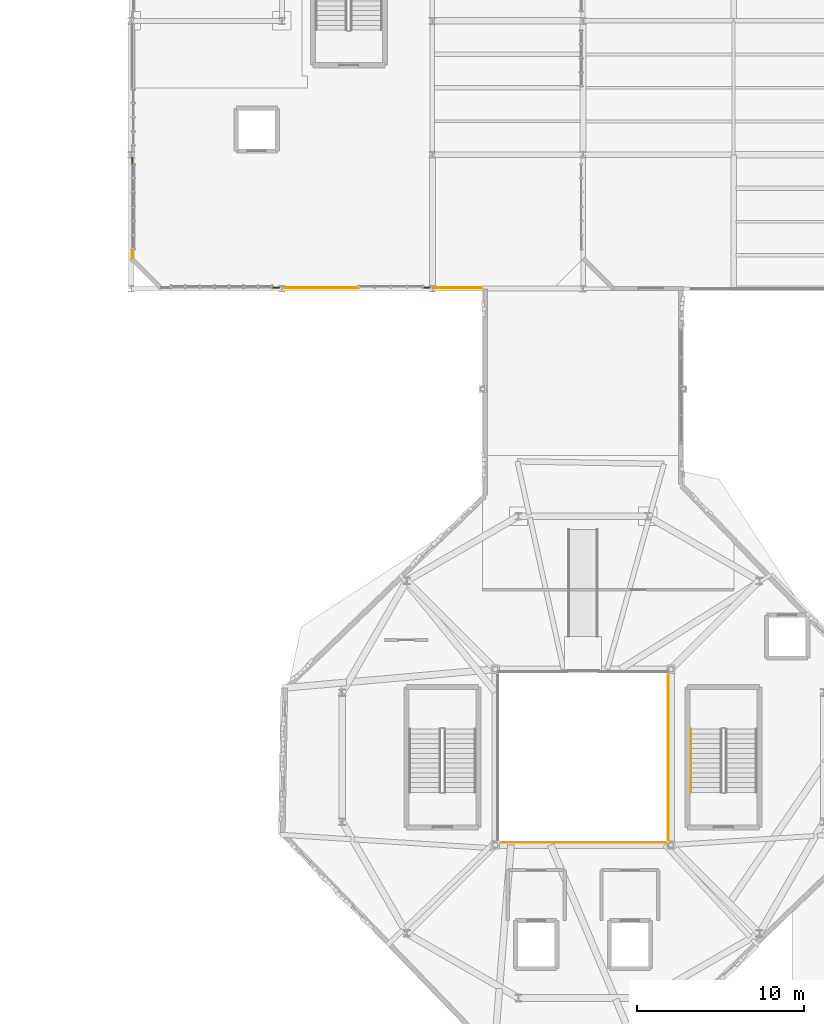
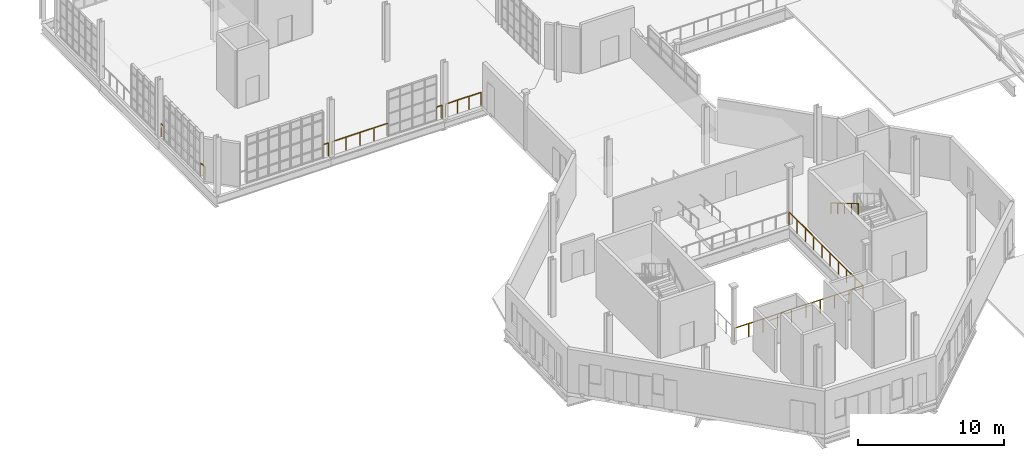
# One storey, part 81 of 85: 9 railings.
"""IFC4 building model written with IfcOpenShell, lengths in metres."""

from ifc_helpers import new_model, si_unit, direction, frame, origin, origin_2d, place, context, subcontext, project, spatial, circle, extrude, material, type_object, element, save


model = new_model("IFC4")

# Units and contexts
model_context = context("Model", 3, precision=1e-05, world=origin(), true_north=direction((0.0, 1.0)))
body_context = subcontext(model_context, "Body", "Model", "MODEL_VIEW")
ifc_project = project(units=[si_unit("LENGTHUNIT", "METRE"), si_unit("AREAUNIT", "SQUARE_METRE"), si_unit("VOLUMEUNIT", "CUBIC_METRE"), si_unit("PLANEANGLEUNIT", "RADIAN"), si_unit("MASSUNIT", "GRAM", prefix="KILO"), si_unit("THERMODYNAMICTEMPERATUREUNIT", "KELVIN"), si_unit("POWERUNIT", "WATT")], contexts=[model_context])

# Site, building, storey
site_placement = place(None, origin())
site = spatial("IfcSite", under=ifc_project, at=site_placement, CompositionType="ELEMENT")
building_placement = place(site_placement, origin())
building = spatial("IfcBuilding", under=site, at=building_placement, Name="Zelmaris Science Centre", CompositionType="ELEMENT")
storey_placement = place(building_placement, frame((0.0, 0.0, 20.39990234375)))
storey = spatial("IfcBuildingStorey", under=building, at=storey_placement, Name="L04", CompositionType="ELEMENT", Elevation=20.39990234375)

# Railings
ifc_material = material(Name="Architectural bronze alloy C28000")
railing_type_1 = type_object("IfcRailingType", Name="Balustrade GD-01 H1120", PredefinedType="BALUSTRADE", material=ifc_material)
railing_1_placement = place(storey_placement, frame((75.89990234375, 30.89990234375, 0.0)))
element("IfcRailing", 1, at=railing_1_placement, inside=storey, type_object=railing_type_1, Name="L04 Atrium void balustrade 41", PredefinedType="BALUSTRADE", context=body_context, shape_type="SweptSolid", body=[
    extrude(circle(Radius=0.02392578125, at=origin_2d()), frame((0.0, 0.0, 1.09619140625), z_axis=(1.0, 0.0, 0.0), x_axis=(0.0, 1.0, 0.0)), (0.0, 0.0, 1.0), 10.2001953125),
    extrude(circle(Radius=0.02099609375, at=origin_2d()), origin(), (0.0, 0.0, 1.0), 1.072021484375),
    extrude(circle(Radius=0.02099609375, at=origin_2d()), frame((1.13330078125, 0.0, 0.0)), (0.0, 0.0, 1.0), 1.072021484375),
    extrude(circle(Radius=0.02099609375, at=origin_2d()), frame((2.2666015625, 0.0, 0.0)), (0.0, 0.0, 1.0), 1.072021484375),
    extrude(circle(Radius=0.02099609375, at=origin_2d()), frame((3.400146484375, 0.0, 0.0)), (0.0, 0.0, 1.0), 1.072021484375),
    extrude(circle(Radius=0.02099609375, at=origin_2d()), frame((4.533447265625, 0.0, 0.0)), (0.0, 0.0, 1.0), 1.072021484375),
    extrude(circle(Radius=0.02099609375, at=origin_2d()), frame((5.666748046875, 0.0, 0.0)), (0.0, 0.0, 1.0), 1.072021484375),
    extrude(circle(Radius=0.02099609375, at=origin_2d()), frame((6.800048828125, 0.0, 0.0)), (0.0, 0.0, 1.0), 1.072021484375),
    extrude(circle(Radius=0.02099609375, at=origin_2d()), frame((7.93359375, 0.0, 0.0)), (0.0, 0.0, 1.0), 1.072021484375),
    extrude(circle(Radius=0.02099609375, at=origin_2d()), frame((9.06689453125, 0.0, 0.0)), (0.0, 0.0, 1.0), 1.072021484375),
    extrude(circle(Radius=0.02099609375, at=origin_2d()), frame((10.2001953125, 0.0, 0.0)), (0.0, 0.0, 1.0), 1.072021484375),
])
railing_2_placement = place(storey_placement, frame((86.10009765625, 30.89990234375, 0.0)))
element("IfcRailing", 2, at=railing_2_placement, inside=storey, type_object=railing_type_1, Name="L04 Atrium void balustrade 42", PredefinedType="BALUSTRADE", context=body_context, shape_type="SweptSolid", body=[
    extrude(circle(Radius=0.02392578125, at=origin_2d()), frame((0.0, 0.0, 1.09619140625), z_axis=(0.0, 1.0, 0.0), x_axis=(-1.0, 0.0, 0.0)), (0.0, 0.0, 1.0), 10.2001953125),
    extrude(circle(Radius=0.02099609375, at=origin_2d()), origin(), (0.0, 0.0, 1.0), 1.072021484375),
    extrude(circle(Radius=0.02099609375, at=origin_2d()), frame((0.0, 1.13330078125, 0.0)), (0.0, 0.0, 1.0), 1.072021484375),
    extrude(circle(Radius=0.02099609375, at=origin_2d()), frame((0.0, 2.2666015625, 0.0)), (0.0, 0.0, 1.0), 1.072021484375),
    extrude(circle(Radius=0.02099609375, at=origin_2d()), frame((0.0, 3.400146484375, 0.0)), (0.0, 0.0, 1.0), 1.072021484375),
    extrude(circle(Radius=0.02099609375, at=origin_2d()), frame((0.0, 4.533447265625, 0.0)), (0.0, 0.0, 1.0), 1.072021484375),
    extrude(circle(Radius=0.02099609375, at=origin_2d()), frame((0.0, 5.666748046875, 0.0)), (0.0, 0.0, 1.0), 1.072021484375),
    extrude(circle(Radius=0.02099609375, at=origin_2d()), frame((0.0, 6.800048828125, 0.0)), (0.0, 0.0, 1.0), 1.072021484375),
    extrude(circle(Radius=0.02099609375, at=origin_2d()), frame((0.0, 7.93359375, 0.0)), (0.0, 0.0, 1.0), 1.072021484375),
    extrude(circle(Radius=0.02099609375, at=origin_2d()), frame((0.0, 9.06689453125, 0.0)), (0.0, 0.0, 1.0), 1.072021484375),
    extrude(circle(Radius=0.02099609375, at=origin_2d()), frame((0.0, 10.2001953125, 0.0)), (0.0, 0.0, 1.0), 1.072021484375),
])
railing_3_placement = place(storey_placement, frame((74.93994140625, 64.06005859375, 0.0)))
element("IfcRailing", 3, at=railing_3_placement, inside=storey, type_object=railing_type_1, Name="L04 Perimeter safety balustrade 260", PredefinedType="BALUSTRADE", context=body_context, shape_type="SweptSolid", body=[
    extrude(circle(Radius=0.02392578125, at=origin_2d()), frame((0.0, 0.0, 1.09619140625), z_axis=(-1.0, 0.0, 0.0), x_axis=(0.0, -1.0, 0.0)), (0.0, 0.0, 1.0), 2.7919921875),
    extrude(circle(Radius=0.02099609375, at=origin_2d()), origin(), (0.0, 0.0, 1.0), 1.072021484375),
    extrude(circle(Radius=0.02099609375, at=origin_2d()), frame((-0.9306640625, 0.0, 0.0)), (0.0, 0.0, 1.0), 1.072021484375),
    extrude(circle(Radius=0.02099609375, at=origin_2d()), frame((-1.861328125, 0.0, 0.0)), (0.0, 0.0, 1.0), 1.072021484375),
    extrude(circle(Radius=0.02099609375, at=origin_2d()), frame((-2.7919921875, 0.0, 0.0)), (0.0, 0.0, 1.0), 1.072021484375),
])
railing_4_placement = place(storey_placement, frame((71.85205078125, 64.06005859375, 0.0)))
element("IfcRailing", 4, at=railing_4_placement, inside=storey, type_object=railing_type_1, Name="L04 Perimeter safety balustrade 261", PredefinedType="BALUSTRADE", context=body_context, shape_type="SweptSolid", body=[
    extrude(circle(Radius=0.02392578125, at=origin_2d()), frame((0.0, 0.0, 1.09619140625), z_axis=(-1.0, 0.0, 0.0), x_axis=(0.0, -1.0, 0.0)), (0.0, 0.0, 1.0), 0.422119140625),
    extrude(circle(Radius=0.02099609375, at=origin_2d()), origin(), (0.0, 0.0, 1.0), 1.072021484375),
    extrude(circle(Radius=0.02099609375, at=origin_2d()), frame((-0.422119140625, 0.0, 0.0)), (0.0, 0.0, 1.0), 1.072021484375),
])
railing_5_placement = place(storey_placement, frame((67.590087890625, 64.06005859375, 0.0)))
element("IfcRailing", 5, at=railing_5_placement, inside=storey, type_object=railing_type_1, Name="L04 Perimeter safety balustrade 262", PredefinedType="BALUSTRADE", context=body_context, shape_type="SweptSolid", body=[
    extrude(circle(Radius=0.02392578125, at=origin_2d()), frame((0.0, 0.0, 1.09619140625), z_axis=(-1.0, 0.0, 0.0), x_axis=(0.0, -1.0, 0.0)), (0.0, 0.0, 1.0), 4.442138671875),
    extrude(circle(Radius=0.02099609375, at=origin_2d()), origin(), (0.0, 0.0, 1.0), 1.072021484375),
    extrude(circle(Radius=0.02099609375, at=origin_2d()), frame((-1.110595703125, 0.0, 0.0)), (0.0, 0.0, 1.0), 1.072021484375),
    extrude(circle(Radius=0.02099609375, at=origin_2d()), frame((-2.22119140625, 0.0, 0.0)), (0.0, 0.0, 1.0), 1.072021484375),
    extrude(circle(Radius=0.02099609375, at=origin_2d()), frame((-3.33154296875, 0.0, 0.0)), (0.0, 0.0, 1.0), 1.072021484375),
    extrude(circle(Radius=0.02099609375, at=origin_2d()), frame((-4.442138671875, 0.0, 0.0)), (0.0, 0.0, 1.0), 1.072021484375),
])
railing_6_placement = place(storey_placement, frame((62.85205078125, 64.06005859375, 0.0)))
element("IfcRailing", 6, at=railing_6_placement, inside=storey, type_object=railing_type_1, Name="L04 Perimeter safety balustrade 263", PredefinedType="BALUSTRADE", context=body_context, shape_type="SweptSolid", body=[
    extrude(circle(Radius=0.02392578125, at=origin_2d()), frame((0.0, 0.0, 1.09619140625), z_axis=(-1.0, 0.0, 0.0), x_axis=(0.0, -1.0, 0.0)), (0.0, 0.0, 1.0), 0.422119140625),
    extrude(circle(Radius=0.02099609375, at=origin_2d()), origin(), (0.0, 0.0, 1.0), 1.072021484375),
    extrude(circle(Radius=0.02099609375, at=origin_2d()), frame((-0.422119140625, 0.0, 0.0)), (0.0, 0.0, 1.0), 1.072021484375),
])
railing_7_placement = place(storey_placement, frame((54.06005859375, 65.800048828125, 0.0)))
element("IfcRailing", 7, at=railing_7_placement, inside=storey, type_object=railing_type_1, Name="L04 Perimeter safety balustrade 265", PredefinedType="BALUSTRADE", context=body_context, shape_type="SweptSolid", body=[
    extrude(circle(Radius=0.02392578125, at=origin_2d()), frame((0.0, 0.0, 1.09619140625), z_axis=(0.0, 1.0, 0.0), x_axis=(-1.0, 0.0, 0.0)), (0.0, 0.0, 1.0), 0.570068359375),
    extrude(circle(Radius=0.02099609375, at=origin_2d()), origin(), (0.0, 0.0, 1.0), 1.072021484375),
    extrude(circle(Radius=0.02099609375, at=origin_2d()), frame((0.0, 0.570068359375, 0.0)), (0.0, 0.0, 1.0), 1.072021484375),
])
railing_8_placement = place(storey_placement, frame((54.06005859375, 71.429931640625, 0.0)))
element("IfcRailing", 8, at=railing_8_placement, inside=storey, type_object=railing_type_1, Name="L04 Perimeter safety balustrade 266", PredefinedType="BALUSTRADE", context=body_context, shape_type="SweptSolid", body=[
    extrude(circle(Radius=0.02392578125, at=origin_2d()), frame((0.0, 0.0, 1.09619140625), z_axis=(0.0, 1.0, 0.0), x_axis=(-1.0, 0.0, 0.0)), (0.0, 0.0, 1.0), 0.406982421875),
    extrude(circle(Radius=0.02099609375, at=origin_2d()), origin(), (0.0, 0.0, 1.0), 1.072021484375),
    extrude(circle(Radius=0.02099609375, at=origin_2d()), frame((0.0, 0.406982421875, 0.0)), (0.0, 0.0, 1.0), 1.072021484375),
])
railing_type_2 = type_object("IfcRailingType", Name="Handrail HR-01 H900", PredefinedType="HANDRAIL", material=ifc_material)
railing_9_placement = place(storey_placement, frame((87.449951171875, 37.669921875, 2.571533203125)))
element("IfcRailing", 9, at=railing_9_placement, inside=storey, type_object=railing_type_2, Name="L04 ST-2 stair handrail 2", PredefinedType="HANDRAIL", context=body_context, shape_type="SweptSolid", body=[
    extrude(circle(Radius=0.02392578125, at=origin_2d()), frame((0.0, 0.0, 0.8759765625), z_axis=(0.0, -0.860848830602, 0.508860777473), x_axis=(1.0, 0.0, 0.0)), (0.0, 0.0, 1.0), 4.37939453125),
    extrude(circle(Radius=0.02099609375, at=origin_2d()), origin(), (0.0, 0.0, 1.0), 0.851806640625),
    extrude(circle(Radius=0.02099609375, at=origin_2d()), frame((0.0, -0.9423828125, 0.55712890625)), (0.0, 0.0, 1.0), 0.851806640625),
    extrude(circle(Radius=0.02099609375, at=origin_2d()), frame((0.0, -1.885009765625, 1.1142578125)), (0.0, 0.0, 1.0), 0.851806640625),
    extrude(circle(Radius=0.02099609375, at=origin_2d()), frame((0.0, -2.82763671875, 1.67138671875)), (0.0, 0.0, 1.0), 0.851806640625),
    extrude(circle(Radius=0.02099609375, at=origin_2d()), frame((0.0, -3.77001953125, 2.228515625)), (0.0, 0.0, 1.0), 0.851806640625),
])

save(model, "model.ifc")
